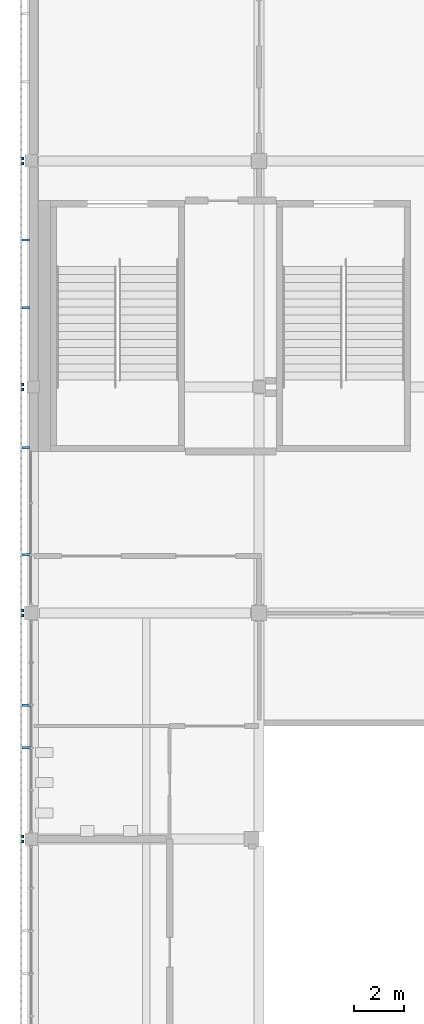
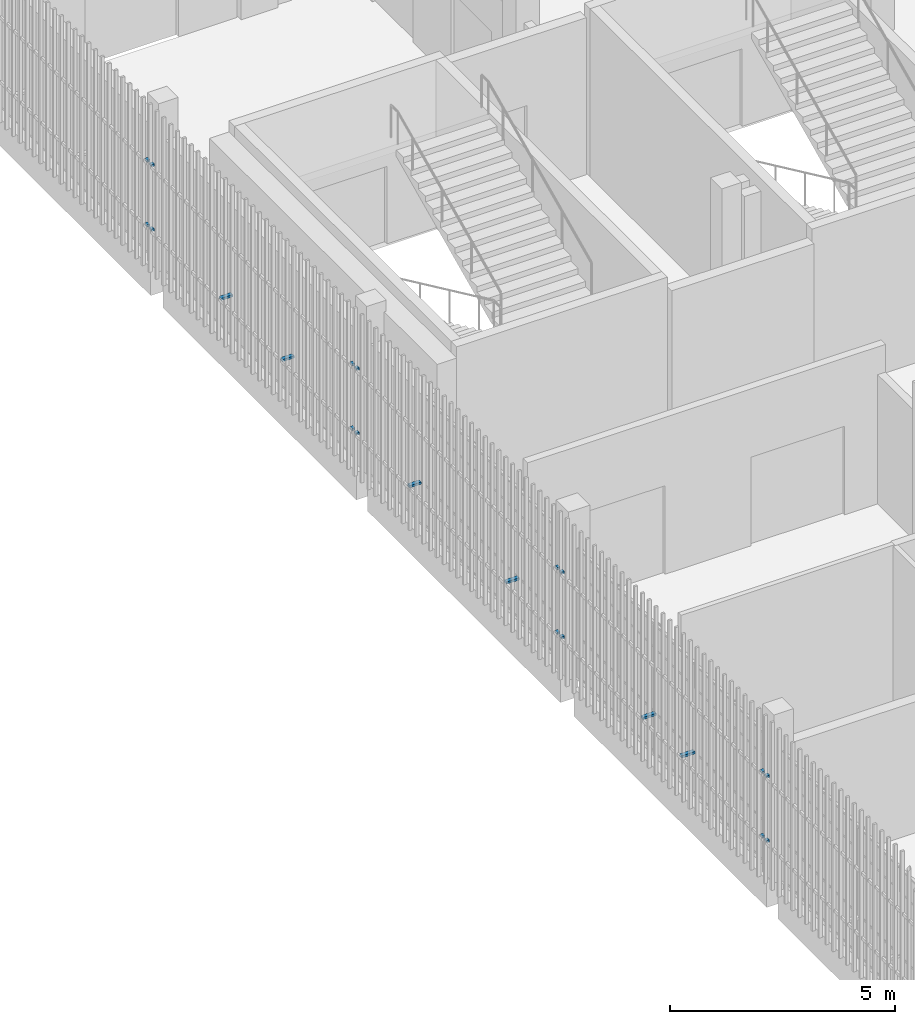
# One storey, part 94 of 124: 22 discrete accessories.
"""IFC4 building model written with IfcOpenShell, lengths in metres."""

import ifcopenshell
import ifcopenshell.guid

model = None  # the IFC model being written
_history = None  # IfcOwnerHistory: only IFC2X3 demands one
_inside = {}  # id of a spatial element -> (the spatial element, [elements in it])
_under = {}  # id of a project, library or spatial element -> (it, [spatial elements below it])
_declared = {}  # id of a project -> (the project, [libraries it declares])
_typed = {}  # id of a type object -> (the type object, [elements of that type])
_made_of = {}  # id of a material, layer set ... -> (it, [elements and type objects made of it])


def new_model(schema):
    """Start an empty IFC model of exactly this schema.

    Asked for "IFC4X3", IfcOpenShell would pick the latest addendum, in which some entities
    have other attributes; the version numbers below select the first issue.
    IFC2X3 requires an IfcOwnerHistory on every rooted entity: one is made here for all.
    """
    global model, _history
    if schema == "IFC4X3":
        model = ifcopenshell.file(schema_version=(4, 3, 0, 0))
    else:
        model = ifcopenshell.file(schema=schema)
    _inside.clear()
    _under.clear()
    _declared.clear()
    _typed.clear()
    _made_of.clear()
    _history = None
    if model.schema == "IFC2X3":
        org = make("IfcOrganization", Name="unknown")
        user = make(
            "IfcPersonAndOrganization",
            ThePerson=make("IfcPerson", FamilyName="unknown"),
            TheOrganization=org,
        )
        app = make(
            "IfcApplication",
            ApplicationDeveloper=org,
            Version="unknown",
            ApplicationFullName="unknown",
            ApplicationIdentifier="unknown",
        )
        _history = make(
            "IfcOwnerHistory",
            OwningUser=user,
            OwningApplication=app,
            ChangeAction="ADDED",
            CreationDate=0,
        )
    return model


def make(cls, **values):
    """One entity of the class cls with the attributes given. An attribute that is None is left unset."""
    return model.create_entity(
        cls, **{name: value for name, value in values.items() if value is not None}
    )


def rooted(cls, **values):
    """An entity with a GlobalId (a new one), such as an element, a storey or a relation."""
    return make(cls, GlobalId=ifcopenshell.guid.new(), OwnerHistory=_history, **values)


def si_unit(unit_type, name, prefix=None):
    """IfcSIUnit, for example si_unit("LENGTHUNIT", "METRE", prefix="MILLI")."""
    return make("IfcSIUnit", UnitType=unit_type, Prefix=prefix, Name=name)


def assignment(units):
    """IfcUnitAssignment: the units of a project."""
    return None if units is None else make("IfcUnitAssignment", Units=units)


def point(xyz):
    """IfcCartesianPoint."""
    return None if xyz is None else make("IfcCartesianPoint", Coordinates=xyz)


def direction(xyz):
    """IfcDirection."""
    return None if xyz is None else make("IfcDirection", DirectionRatios=xyz)


def frame(location, z_axis=None, x_axis=None):
    """IfcAxis2Placement3D, a coordinate frame: its origin and axes. An axis left out is left unset."""
    return make(
        "IfcAxis2Placement3D",
        Location=point(location),
        Axis=direction(z_axis),
        RefDirection=direction(x_axis),
    )


def frame_2d(location, x_axis=None):
    """IfcAxis2Placement2D, a coordinate frame in the plane: its origin and x axis."""
    return make(
        "IfcAxis2Placement2D", Location=point(location), RefDirection=direction(x_axis)
    )


def origin():
    """The frame at (0, 0, 0) with its axes left unset."""
    return frame((0.0, 0.0, 0.0))


def origin_2d():
    """The frame at (0, 0) in the plane with its x axis left unset."""
    return frame_2d((0.0, 0.0))


def place(relative_to, where):
    """IfcLocalPlacement: puts the frame where relative to a parent placement (None: the world)."""
    return make(
        "IfcLocalPlacement", PlacementRelTo=relative_to, RelativePlacement=where
    )


def context(
    kind, dimensions, precision=None, world=None, true_north=None, identifier=None
):
    """IfcGeometricRepresentationContext, for example the 3D "Model" context."""
    return make(
        "IfcGeometricRepresentationContext",
        ContextIdentifier=identifier,
        ContextType=kind,
        CoordinateSpaceDimension=dimensions,
        Precision=precision,
        WorldCoordinateSystem=world,
        TrueNorth=true_north,
    )


def subcontext(parent, identifier, kind, view, scale=None):
    """IfcGeometricRepresentationSubContext, for example "Body" below "Model"."""
    return make(
        "IfcGeometricRepresentationSubContext",
        ContextIdentifier=identifier,
        ContextType=kind,
        ParentContext=parent,
        TargetScale=scale,
        TargetView=view,
    )


def project(units=None, contexts=None):
    """IfcProject with its units and contexts."""
    return rooted(
        "IfcProject",
        Name="project",
        RepresentationContexts=contexts,
        UnitsInContext=assignment(units),
    )


def spatial(cls, under=None, at=None, **own):
    """A site, building, storey or space (cls), placed at a placement, below another one or the project."""
    s = rooted(cls, ObjectPlacement=at, **own)
    if under is not None:
        _under.setdefault(under.id(), (under, []))[1].append(s)
    return s


def profile(cls, at=None, kind="AREA", **sizes):
    """A parametric profile (cls). Its sizes go by their IFC names, for example OverallWidth=200.0."""
    return make(cls, ProfileType=kind, Position=at, **sizes)


def rectangle(**sizes):
    """IfcRectangleProfileDef."""
    return profile("IfcRectangleProfileDef", **sizes)


def extrude(swept, where, along, depth):
    """IfcExtrudedAreaSolid: the profile swept, set in the frame where, extruded along a direction by depth."""
    return make(
        "IfcExtrudedAreaSolid",
        SweptArea=swept,
        Position=where,
        ExtrudedDirection=direction(along),
        Depth=depth,
    )


def shape(context_of_items, identifier, shape_type, items):
    """IfcShapeRepresentation: the items that make up one representation, for example the "Body"."""
    return make(
        "IfcShapeRepresentation",
        ContextOfItems=context_of_items,
        RepresentationIdentifier=identifier,
        RepresentationType=shape_type,
        Items=items,
    )


def material(Name=None, Category=None):
    """IfcMaterial."""
    return make("IfcMaterial", Name=Name, Category=Category)


def made_of(thing, what):
    """Note that an element or type object is made of a material, layer set ...; save() writes the relation."""
    if what is not None:
        _made_of.setdefault(what.id(), (what, []))[1].append(thing)
    return thing


def type_object(cls, material=None, **own):
    """A type object (cls), such as IfcWallType, which elements share."""
    return made_of(rooted(cls, **own), material)


def element(
    cls,
    number,
    at=None,
    inside=None,
    cuts=None,
    type_object=None,
    material=None,
    context=None,
    identifier="Body",
    shape_type=None,
    held_by="IfcProductDefinitionShape",
    body=None,
    shapes=None,
    **own,
):
    """One element of the class cls, such as IfcWall. Its Tag is "e" and its number.

    at: its placement. inside: the storey or other place that contains it. cuts: it is an
    opening in that element (IfcRelVoidsElement). A single representation is given by context,
    identifier, shape_type and body (its items); several are given by shapes. held_by: the class
    of the entity that holds the representations. save() writes the other relations.
    """
    e = rooted(cls, Tag="e%d" % number, ObjectPlacement=at, **own)
    if body is not None:
        shapes = [shape(context, identifier, shape_type, body)]
    if shapes is not None:
        e.Representation = make(held_by, Representations=shapes)
    if inside is not None:
        _inside.setdefault(inside.id(), (inside, []))[1].append(e)
    if cuts is not None:
        rooted(
            "IfcRelVoidsElement", RelatingBuildingElement=cuts, RelatedOpeningElement=e
        )
    if type_object is not None:
        _typed.setdefault(type_object.id(), (type_object, []))[1].append(e)
    return made_of(e, material)


def aggregate(whole, parts):
    """IfcRelAggregates: a whole, such as a stair, and the parts it consists of."""
    return rooted("IfcRelAggregates", RelatingObject=whole, RelatedObjects=parts)


def save(model, path):
    """Write the relations noted so far, then the file.

    IfcRelAggregates (storeys below a building ...), IfcRelContainedInSpatialStructure (elements
    in a storey), IfcRelDefinesByType, IfcRelAssociatesMaterial and IfcRelDeclares: one each for
    every whole, place, type object, material and project.
    """
    for whole, parts in _under.values():
        aggregate(whole, parts)
    for where, things in _inside.values():
        rooted(
            "IfcRelContainedInSpatialStructure",
            RelatedElements=things,
            RelatingStructure=where,
        )
    for kind, things in _typed.values():
        rooted("IfcRelDefinesByType", RelatedObjects=things, RelatingType=kind)
    for what, things in _made_of.values():
        rooted("IfcRelAssociatesMaterial", RelatedObjects=things, RelatingMaterial=what)
    for by, libraries in _declared.values():
        rooted("IfcRelDeclares", RelatingContext=by, RelatedDefinitions=libraries)
    model.write(path)


model = new_model("IFC4")

# Units and contexts
model_context = context("Model", 3, precision=1e-05, world=origin(), true_north=direction((0.0, 1.0)))
body_context = subcontext(model_context, "Body", "Model", "MODEL_VIEW")
ifc_project = project(units=[si_unit("LENGTHUNIT", "METRE"), si_unit("AREAUNIT", "SQUARE_METRE"), si_unit("VOLUMEUNIT", "CUBIC_METRE"), si_unit("PLANEANGLEUNIT", "RADIAN"), si_unit("MASSUNIT", "GRAM", prefix="KILO")], contexts=[model_context])

# Site, building, storey
site_placement = place(None, origin())
site = spatial("IfcSite", under=ifc_project, at=site_placement, CompositionType="ELEMENT")
building_placement = place(site_placement, origin())
building = spatial("IfcBuilding", under=site, at=building_placement, Name="Shirokan Park Arena", CompositionType="ELEMENT")
storey_placement = place(building_placement, frame((0.0, 0.0, 20.02001953125)))
storey = spatial("IfcBuildingStorey", under=building, at=storey_placement, Name="L04", CompositionType="ELEMENT", Elevation=20.02001953125)

# Discrete accessories
ifc_material = material(Name="Steel S355", Category="steel")
discrete_accessory_type = type_object("IfcDiscreteAccessoryType", Name="Veil bracket 100x60", PredefinedType="BRACKET", material=ifc_material)
for number, where, z_axis, x_axis, name in (
    (1, (-0.409912109375, 91.10009765625, 1.070068359375), (0.0, 0.0, 1.0), (0.0, -1.0, 0.0), "Veil bracket west bay 2 L04 2"),
    (2, (-0.409912109375, 91.10009765625, 2.820068359375), (0.0, 0.0, 1.0), (0.0, -1.0, 0.0), "Veil bracket west bay 2 L04 4"),
    (3, (-0.409912109375, 90.89990234375, 1.070068359375), (0.0, 0.0, 1.0), (0.0, -1.0, 0.0), "Veil bracket west bay 3 L04 1"),
    (4, (-0.409912109375, 82.0, 1.070068359375), (0.0, 0.0, 1.0), (0.0, -1.0, 0.0), "Veil bracket west bay 3 L04 2"),
    (5, (-0.409912109375, 90.89990234375, 2.820068359375), (0.0, 0.0, 1.0), (0.0, -1.0, 0.0), "Veil bracket west bay 3 L04 3"),
    (6, (-0.409912109375, 82.0, 2.820068359375), (0.0, 0.0, 1.0), (0.0, -1.0, 0.0), "Veil bracket west bay 3 L04 4"),
):
    element("IfcDiscreteAccessory", number, at=place(storey_placement, frame(where, z_axis=z_axis, x_axis=x_axis)), inside=storey, type_object=discrete_accessory_type, Name=name, PredefinedType="BRACKET", context=body_context, shape_type="SweptSolid", body=[
        extrude(rectangle(XDim=0.10009765625, YDim=0.070068359375, at=origin_2d()), origin(), (0.0, 0.0, 1.0), 0.06005859375),
    ])
for number, where, z_axis, x_axis, name in (
    (7, (-0.297607421875, 87.81494140625, 1.070068359375), (0.0, 0.0, 1.0), (0.0, -1.0, 0.0), "Veil bracket west bay 3 L04 wall 1"),
    (8, (-0.297607421875, 85.0849609375, 1.070068359375), (0.0, 0.0, 1.0), (0.0, -1.0, 0.0), "Veil bracket west bay 3 L04 wall 2"),
):
    element("IfcDiscreteAccessory", number, at=place(storey_placement, frame(where, z_axis=z_axis, x_axis=x_axis)), inside=storey, type_object=discrete_accessory_type, Name=name, PredefinedType="BRACKET", context=body_context, shape_type="SweptSolid", body=[
        extrude(rectangle(XDim=0.10009765625, YDim=0.294921875, at=origin_2d()), origin(), (0.0, 0.0, 1.0), 0.06005859375),
    ])
for number, where, z_axis, x_axis, name in (
    (9, (-0.409912109375, 81.800048828125, 1.070068359375), (0.0, 0.0, 1.0), (0.0, -1.0, 0.0), "Veil bracket west bay 4 L04 1"),
    (10, (-0.409912109375, 72.89990234375, 1.070068359375), (0.0, 0.0, 1.0), (0.0, -1.0, 0.0), "Veil bracket west bay 4 L04 2"),
    (11, (-0.409912109375, 81.800048828125, 2.820068359375), (0.0, 0.0, 1.0), (0.0, -1.0, 0.0), "Veil bracket west bay 4 L04 3"),
    (12, (-0.409912109375, 72.89990234375, 2.820068359375), (0.0, 0.0, 1.0), (0.0, -1.0, 0.0), "Veil bracket west bay 4 L04 4"),
):
    element("IfcDiscreteAccessory", number, at=place(storey_placement, frame(where, z_axis=z_axis, x_axis=x_axis)), inside=storey, type_object=discrete_accessory_type, Name=name, PredefinedType="BRACKET", context=body_context, shape_type="SweptSolid", body=[
        extrude(rectangle(XDim=0.10009765625, YDim=0.070068359375, at=origin_2d()), origin(), (0.0, 0.0, 1.0), 0.06005859375),
    ])
discrete_accessory_1_placement = place(storey_placement, frame((-0.297607421875, 79.449951171875, 1.070068359375), z_axis=(0.0, 0.0, 1.0), x_axis=(0.0, -1.0, 0.0)))
element("IfcDiscreteAccessory", 13, at=discrete_accessory_1_placement, inside=storey, type_object=discrete_accessory_type, Name="Veil bracket west bay 4 L04 wall 1", PredefinedType="BRACKET", context=body_context, shape_type="SweptSolid", body=[
    extrude(rectangle(XDim=0.10009765625, YDim=0.294921875, at=origin_2d()), origin(), (0.0, 0.0, 1.0), 0.06005859375),
])
discrete_accessory_2_placement = place(storey_placement, frame((-0.280029296875, 75.14990234375, 1.070068359375), z_axis=(0.0, 0.0, 1.0), x_axis=(0.0, -1.0, 0.0)))
element("IfcDiscreteAccessory", 14, at=discrete_accessory_2_placement, inside=storey, type_object=discrete_accessory_type, Name="Veil bracket west bay 4 L04 wall 2", PredefinedType="BRACKET", context=body_context, shape_type="SweptSolid", body=[
    extrude(rectangle(XDim=0.10009765625, YDim=0.330078125, at=origin_2d()), origin(), (0.0, 0.0, 1.0), 0.06005859375),
])
for number, where, z_axis, x_axis, name in (
    (15, (-0.409912109375, 72.699951171875, 1.070068359375), (0.0, 0.0, 1.0), (0.0, -1.0, 0.0), "Veil bracket west bay 5 L04 1"),
    (16, (-0.409912109375, 63.800048828125, 1.070068359375), (0.0, 0.0, 1.0), (0.0, -1.0, 0.0), "Veil bracket west bay 5 L04 2"),
    (17, (-0.409912109375, 72.699951171875, 2.820068359375), (0.0, 0.0, 1.0), (0.0, -1.0, 0.0), "Veil bracket west bay 5 L04 3"),
    (18, (-0.409912109375, 63.800048828125, 2.820068359375), (0.0, 0.0, 1.0), (0.0, -1.0, 0.0), "Veil bracket west bay 5 L04 4"),
):
    element("IfcDiscreteAccessory", number, at=place(storey_placement, frame(where, z_axis=z_axis, x_axis=x_axis)), inside=storey, type_object=discrete_accessory_type, Name=name, PredefinedType="BRACKET", context=body_context, shape_type="SweptSolid", body=[
        extrude(rectangle(XDim=0.10009765625, YDim=0.070068359375, at=origin_2d()), origin(), (0.0, 0.0, 1.0), 0.06005859375),
    ])
for number, where, z_axis, x_axis, name in (
    (19, (-0.2724609375, 69.094970703125, 1.070068359375), (0.0, 0.0, 1.0), (0.0, -1.0, 0.0), "Veil bracket west bay 5 L04 wall 1"),
    (20, (-0.2724609375, 67.3798828125, 1.070068359375), (0.0, 0.0, 1.0), (0.0, -1.0, 0.0), "Veil bracket west bay 5 L04 wall 2"),
):
    element("IfcDiscreteAccessory", number, at=place(storey_placement, frame(where, z_axis=z_axis, x_axis=x_axis)), inside=storey, type_object=discrete_accessory_type, Name=name, PredefinedType="BRACKET", context=body_context, shape_type="SweptSolid", body=[
        extrude(rectangle(XDim=0.10009765625, YDim=0.344970703125, at=origin_2d()), origin(), (0.0, 0.0, 1.0), 0.06005859375),
    ])
for number, where, z_axis, x_axis, name in (
    (21, (-0.409912109375, 63.60009765625, 1.070068359375), (0.0, 0.0, 1.0), (0.0, -1.0, 0.0), "Veil bracket west bay 6 L04 1"),
    (22, (-0.409912109375, 63.60009765625, 2.820068359375), (0.0, 0.0, 1.0), (0.0, -1.0, 0.0), "Veil bracket west bay 6 L04 3"),
):
    element("IfcDiscreteAccessory", number, at=place(storey_placement, frame(where, z_axis=z_axis, x_axis=x_axis)), inside=storey, type_object=discrete_accessory_type, Name=name, PredefinedType="BRACKET", context=body_context, shape_type="SweptSolid", body=[
        extrude(rectangle(XDim=0.10009765625, YDim=0.070068359375, at=origin_2d()), origin(), (0.0, 0.0, 1.0), 0.06005859375),
    ])

save(model, "model.ifc")
